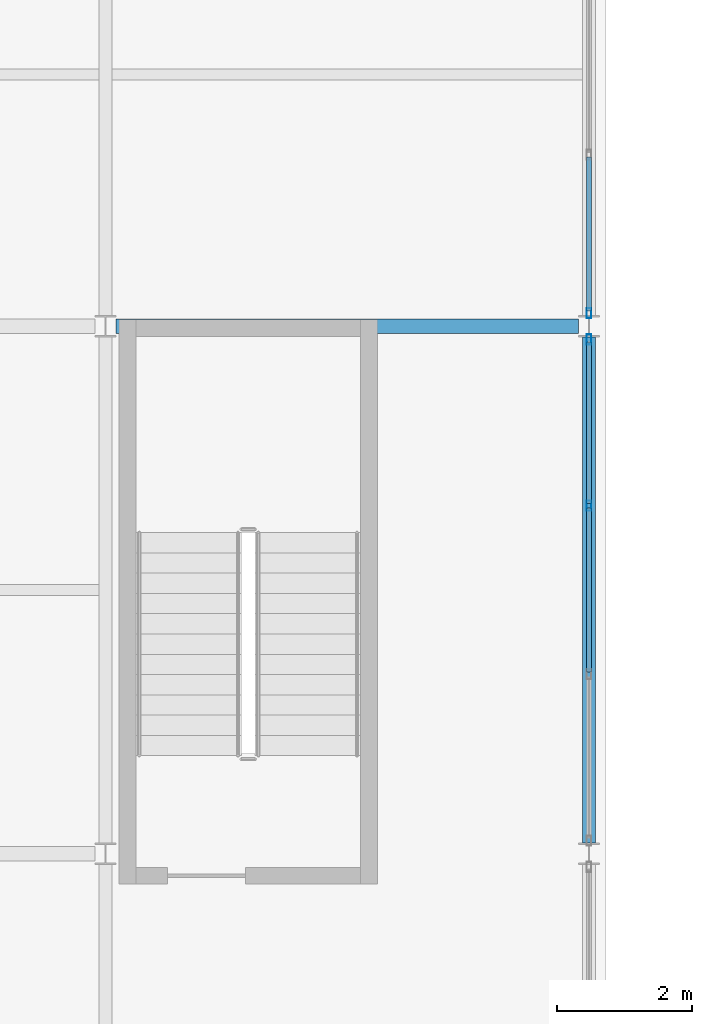
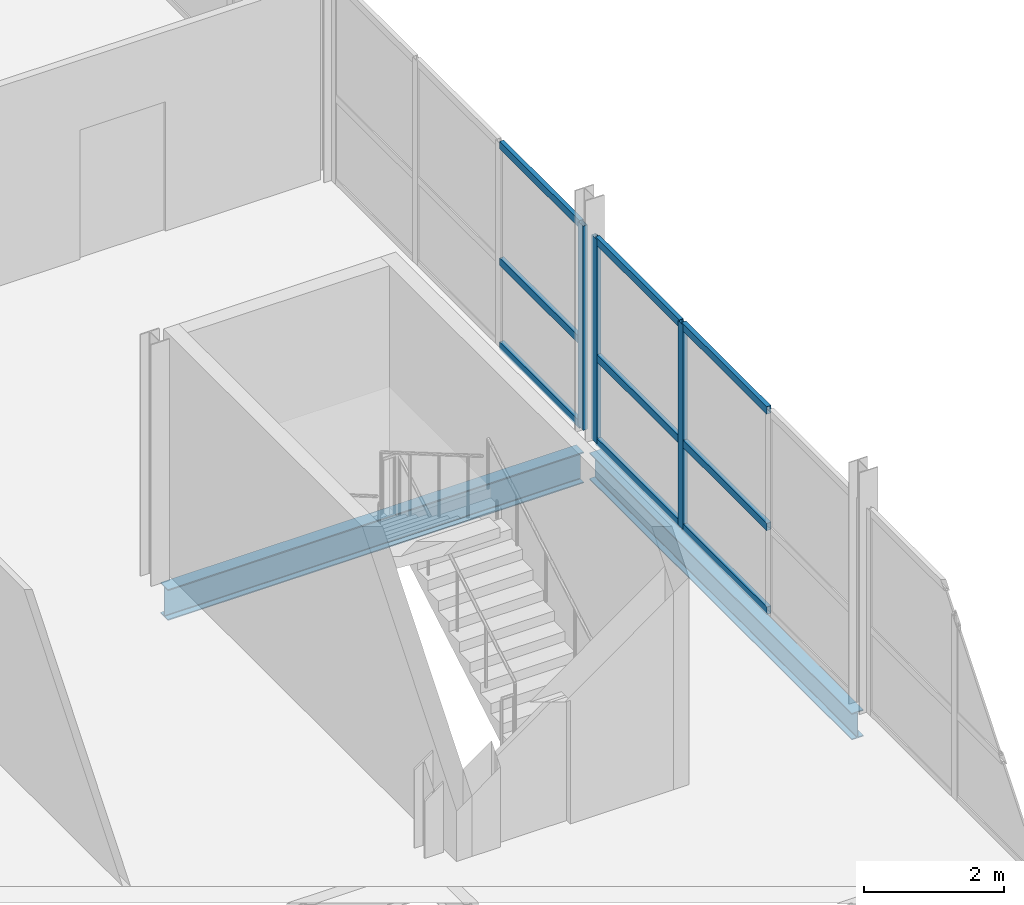
# One storey, part 13 of 60: 12 members, 2 beams, 2 elements without a shape of their own.
"""IFC4 building model written with IfcOpenShell, lengths in metres."""

import ifcopenshell
import ifcopenshell.guid

model = None  # the IFC model being written
_history = None  # IfcOwnerHistory: only IFC2X3 demands one
_inside = {}  # id of a spatial element -> (the spatial element, [elements in it])
_under = {}  # id of a project, library or spatial element -> (it, [spatial elements below it])
_declared = {}  # id of a project -> (the project, [libraries it declares])
_typed = {}  # id of a type object -> (the type object, [elements of that type])
_made_of = {}  # id of a material, layer set ... -> (it, [elements and type objects made of it])


def new_model(schema):
    """Start an empty IFC model of exactly this schema.

    Asked for "IFC4X3", IfcOpenShell would pick the latest addendum, in which some entities
    have other attributes; the version numbers below select the first issue.
    IFC2X3 requires an IfcOwnerHistory on every rooted entity: one is made here for all.
    """
    global model, _history
    if schema == "IFC4X3":
        model = ifcopenshell.file(schema_version=(4, 3, 0, 0))
    else:
        model = ifcopenshell.file(schema=schema)
    _inside.clear()
    _under.clear()
    _declared.clear()
    _typed.clear()
    _made_of.clear()
    _history = None
    if model.schema == "IFC2X3":
        org = make("IfcOrganization", Name="unknown")
        user = make(
            "IfcPersonAndOrganization",
            ThePerson=make("IfcPerson", FamilyName="unknown"),
            TheOrganization=org,
        )
        app = make(
            "IfcApplication",
            ApplicationDeveloper=org,
            Version="unknown",
            ApplicationFullName="unknown",
            ApplicationIdentifier="unknown",
        )
        _history = make(
            "IfcOwnerHistory",
            OwningUser=user,
            OwningApplication=app,
            ChangeAction="ADDED",
            CreationDate=0,
        )
    return model


def make(cls, **values):
    """One entity of the class cls with the attributes given. An attribute that is None is left unset."""
    return model.create_entity(
        cls, **{name: value for name, value in values.items() if value is not None}
    )


def rooted(cls, **values):
    """An entity with a GlobalId (a new one), such as an element, a storey or a relation."""
    return make(cls, GlobalId=ifcopenshell.guid.new(), OwnerHistory=_history, **values)


def si_unit(unit_type, name, prefix=None):
    """IfcSIUnit, for example si_unit("LENGTHUNIT", "METRE", prefix="MILLI")."""
    return make("IfcSIUnit", UnitType=unit_type, Prefix=prefix, Name=name)


def assignment(units):
    """IfcUnitAssignment: the units of a project."""
    return None if units is None else make("IfcUnitAssignment", Units=units)


def point(xyz):
    """IfcCartesianPoint."""
    return None if xyz is None else make("IfcCartesianPoint", Coordinates=xyz)


def direction(xyz):
    """IfcDirection."""
    return None if xyz is None else make("IfcDirection", DirectionRatios=xyz)


def frame(location, z_axis=None, x_axis=None):
    """IfcAxis2Placement3D, a coordinate frame: its origin and axes. An axis left out is left unset."""
    return make(
        "IfcAxis2Placement3D",
        Location=point(location),
        Axis=direction(z_axis),
        RefDirection=direction(x_axis),
    )


def frame_2d(location, x_axis=None):
    """IfcAxis2Placement2D, a coordinate frame in the plane: its origin and x axis."""
    return make(
        "IfcAxis2Placement2D", Location=point(location), RefDirection=direction(x_axis)
    )


def origin():
    """The frame at (0, 0, 0) with its axes left unset."""
    return frame((0.0, 0.0, 0.0))


def origin_2d():
    """The frame at (0, 0) in the plane with its x axis left unset."""
    return frame_2d((0.0, 0.0))


def place(relative_to, where):
    """IfcLocalPlacement: puts the frame where relative to a parent placement (None: the world)."""
    return make(
        "IfcLocalPlacement", PlacementRelTo=relative_to, RelativePlacement=where
    )


def context(
    kind, dimensions, precision=None, world=None, true_north=None, identifier=None
):
    """IfcGeometricRepresentationContext, for example the 3D "Model" context."""
    return make(
        "IfcGeometricRepresentationContext",
        ContextIdentifier=identifier,
        ContextType=kind,
        CoordinateSpaceDimension=dimensions,
        Precision=precision,
        WorldCoordinateSystem=world,
        TrueNorth=true_north,
    )


def subcontext(parent, identifier, kind, view, scale=None):
    """IfcGeometricRepresentationSubContext, for example "Body" below "Model"."""
    return make(
        "IfcGeometricRepresentationSubContext",
        ContextIdentifier=identifier,
        ContextType=kind,
        ParentContext=parent,
        TargetScale=scale,
        TargetView=view,
    )


def project(units=None, contexts=None):
    """IfcProject with its units and contexts."""
    return rooted(
        "IfcProject",
        Name="project",
        RepresentationContexts=contexts,
        UnitsInContext=assignment(units),
    )


def spatial(cls, under=None, at=None, **own):
    """A site, building, storey or space (cls), placed at a placement, below another one or the project."""
    s = rooted(cls, ObjectPlacement=at, **own)
    if under is not None:
        _under.setdefault(under.id(), (under, []))[1].append(s)
    return s


def profile(cls, at=None, kind="AREA", **sizes):
    """A parametric profile (cls). Its sizes go by their IFC names, for example OverallWidth=200.0."""
    return make(cls, ProfileType=kind, Position=at, **sizes)


def hollow_rectangle(**sizes):
    """IfcRectangleHollowProfileDef."""
    return profile("IfcRectangleHollowProfileDef", **sizes)


def i_section(**sizes):
    """IfcIShapeProfileDef."""
    return profile("IfcIShapeProfileDef", **sizes)


def extrude(swept, where, along, depth):
    """IfcExtrudedAreaSolid: the profile swept, set in the frame where, extruded along a direction by depth."""
    return make(
        "IfcExtrudedAreaSolid",
        SweptArea=swept,
        Position=where,
        ExtrudedDirection=direction(along),
        Depth=depth,
    )


def shape(context_of_items, identifier, shape_type, items):
    """IfcShapeRepresentation: the items that make up one representation, for example the "Body"."""
    return make(
        "IfcShapeRepresentation",
        ContextOfItems=context_of_items,
        RepresentationIdentifier=identifier,
        RepresentationType=shape_type,
        Items=items,
    )


def material(Name=None, Category=None):
    """IfcMaterial."""
    return make("IfcMaterial", Name=Name, Category=Category)


def layer(
    of_material, thickness, ventilated=None, Name=None, Category=None, Priority=None
):
    """IfcMaterialLayer: one layer of a wall or slab, of a material (None: an air gap)."""
    return make(
        "IfcMaterialLayer",
        Material=of_material,
        LayerThickness=thickness,
        IsVentilated=ventilated,
        Name=Name,
        Category=Category,
        Priority=Priority,
    )


def layer_set(layers, Name=None):
    """IfcMaterialLayerSet."""
    return make("IfcMaterialLayerSet", MaterialLayers=layers, LayerSetName=Name)


def material_profile(
    of_material, cross_section, Name=None, Category=None, Priority=None
):
    """IfcMaterialProfile: a cross section and its material."""
    return make(
        "IfcMaterialProfile",
        Name=Name,
        Material=of_material,
        Profile=cross_section,
        Priority=Priority,
        Category=Category,
    )


def profile_set(profiles, Name=None, composite=None):
    """IfcMaterialProfileSet."""
    return make(
        "IfcMaterialProfileSet",
        Name=Name,
        MaterialProfiles=profiles,
        CompositeProfile=composite,
    )


def made_of(thing, what):
    """Note that an element or type object is made of a material, layer set ...; save() writes the relation."""
    if what is not None:
        _made_of.setdefault(what.id(), (what, []))[1].append(thing)
    return thing


def type_object(cls, material=None, **own):
    """A type object (cls), such as IfcWallType, which elements share."""
    return made_of(rooted(cls, **own), material)


def element(
    cls,
    number,
    at=None,
    inside=None,
    cuts=None,
    type_object=None,
    material=None,
    context=None,
    identifier="Body",
    shape_type=None,
    held_by="IfcProductDefinitionShape",
    body=None,
    shapes=None,
    **own,
):
    """One element of the class cls, such as IfcWall. Its Tag is "e" and its number.

    at: its placement. inside: the storey or other place that contains it. cuts: it is an
    opening in that element (IfcRelVoidsElement). A single representation is given by context,
    identifier, shape_type and body (its items); several are given by shapes. held_by: the class
    of the entity that holds the representations. save() writes the other relations.
    """
    e = rooted(cls, Tag="e%d" % number, ObjectPlacement=at, **own)
    if body is not None:
        shapes = [shape(context, identifier, shape_type, body)]
    if shapes is not None:
        e.Representation = make(held_by, Representations=shapes)
    if inside is not None:
        _inside.setdefault(inside.id(), (inside, []))[1].append(e)
    if cuts is not None:
        rooted(
            "IfcRelVoidsElement", RelatingBuildingElement=cuts, RelatedOpeningElement=e
        )
    if type_object is not None:
        _typed.setdefault(type_object.id(), (type_object, []))[1].append(e)
    return made_of(e, material)


def aggregate(whole, parts):
    """IfcRelAggregates: a whole, such as a stair, and the parts it consists of."""
    return rooted("IfcRelAggregates", RelatingObject=whole, RelatedObjects=parts)


def save(model, path):
    """Write the relations noted so far, then the file.

    IfcRelAggregates (storeys below a building ...), IfcRelContainedInSpatialStructure (elements
    in a storey), IfcRelDefinesByType, IfcRelAssociatesMaterial and IfcRelDeclares: one each for
    every whole, place, type object, material and project.
    """
    for whole, parts in _under.values():
        aggregate(whole, parts)
    for where, things in _inside.values():
        rooted(
            "IfcRelContainedInSpatialStructure",
            RelatedElements=things,
            RelatingStructure=where,
        )
    for kind, things in _typed.values():
        rooted("IfcRelDefinesByType", RelatedObjects=things, RelatingType=kind)
    for what, things in _made_of.values():
        rooted("IfcRelAssociatesMaterial", RelatedObjects=things, RelatingMaterial=what)
    for by, libraries in _declared.values():
        rooted("IfcRelDeclares", RelatingContext=by, RelatedDefinitions=libraries)
    model.write(path)


model = new_model("IFC4")

# Units and contexts
model_context = context("Model", 3, precision=1e-05, world=origin(), true_north=direction((0.0, 1.0)))
body_context = subcontext(model_context, "Body", "Model", "MODEL_VIEW")
ifc_project = project(units=[si_unit("LENGTHUNIT", "METRE"), si_unit("AREAUNIT", "SQUARE_METRE"), si_unit("VOLUMEUNIT", "CUBIC_METRE"), si_unit("PLANEANGLEUNIT", "RADIAN"), si_unit("MASSUNIT", "GRAM", prefix="KILO")], contexts=[model_context])

# Site, building, storey
site_placement = place(None, origin())
site = spatial("IfcSite", under=ifc_project, at=site_placement, CompositionType="ELEMENT")
building_placement = place(site_placement, origin())
building = spatial("IfcBuilding", under=site, at=building_placement, Name="Quillay Park Conservatory", CompositionType="ELEMENT")
storey_placement = place(building_placement, frame((0.0, 0.0, 9.89990234375)))
storey = spatial("IfcBuildingStorey", under=building, at=storey_placement, Name="L02", CompositionType="ELEMENT", Elevation=9.89990234375)

# Curtain wall, members
ifc_material_1 = material(Name="Thermally Broken Anodised Aluminium 6063-T6", Category="aluminium")
ifc_layer = layer(ifc_material_1, 0.1650390625)
ifc_layer_set = layer_set([ifc_layer], Name="UNITISED CURTAIN WALL PODIUM (Thermally Broken Anodised Aluminium 6063-T6)")
curtain_wall_type = type_object("IfcCurtainWallType", Name="UNITISED CURTAIN WALL PODIUM", PredefinedType="USERDEFINED", material=ifc_layer_set)
curtain_wall_1_placement = place(storey_placement, origin())
curtain_wall_1 = element("IfcCurtainWall", 1, at=curtain_wall_1_placement, inside=storey, type_object=curtain_wall_type, Name="L02 Unitised Curtain Wall 208", ObjectType="UNITISED CURTAIN WALL", PredefinedType="USERDEFINED")
ifc_material_2 = material(Name="Thermally Broken Anodised Aluminium 6063-T6", Category="aluminium")
ifc_material_profile_1 = material_profile(ifc_material_2, hollow_rectangle(XDim=0.070068359375, YDim=0.14990234375, WallThickness=0.00341796875, at=origin_2d()), Name="AL70x150x3.5")
ifc_profile_set_1 = profile_set([ifc_material_profile_1], Name="Thermally Broken Anodised Aluminium 6063-T6")
member_type_1 = type_object("IfcMemberType", Name="CURTAIN WALL MULLION 70 X150", PredefinedType="MULLION", material=ifc_profile_set_1)
member_1_placement = place(storey_placement, frame((22.14990234375, 46.60498046875, 0.0), z_axis=(0.0, 0.0, 1.0), x_axis=(1.0, 0.0, 0.0)))
member_1 = element("IfcMember", 2, at=member_1_placement, type_object=member_type_1, Name="CW-P1 mullion 1", PredefinedType="MULLION", context=body_context, shape_type="SweptSolid", body=[
    extrude(hollow_rectangle(XDim=0.070068359375, YDim=0.14990234375, WallThickness=0.00341796875, at=origin_2d()), origin(), (0.0, 0.0, 1.0), 3.55419921875),
])
member_2_placement = place(storey_placement, frame((22.14990234375, 44.146728515625, 0.0), z_axis=(0.0, 0.0, 1.0), x_axis=(1.0, 0.0, 0.0)))
member_2 = element("IfcMember", 3, at=member_2_placement, type_object=member_type_1, Name="CW-P1 mullion 2", PredefinedType="MULLION", context=body_context, shape_type="SweptSolid", body=[
    extrude(hollow_rectangle(XDim=0.070068359375, YDim=0.14990234375, WallThickness=0.00341796875, at=origin_2d()), origin(), (0.0, 0.0, 1.0), 3.55419921875),
])

# Curtain wall, member
curtain_wall_2_placement = place(storey_placement, origin())
curtain_wall_2 = element("IfcCurtainWall", 4, at=curtain_wall_2_placement, inside=storey, type_object=curtain_wall_type, Name="L02 Unitised Curtain Wall 209", ObjectType="UNITISED CURTAIN WALL", PredefinedType="USERDEFINED")
member_3_placement = place(storey_placement, frame((22.14990234375, 46.9951171875, 0.0), z_axis=(0.0, 0.0, 1.0), x_axis=(1.0, 0.0, 0.0)))
member_3 = element("IfcMember", 5, at=member_3_placement, type_object=member_type_1, Name="CW-P1 mullion 4", PredefinedType="MULLION", context=body_context, shape_type="SweptSolid", body=[
    extrude(hollow_rectangle(XDim=0.070068359375, YDim=0.14990234375, WallThickness=0.00341796875, at=origin_2d()), origin(), (0.0, 0.0, 1.0), 3.55419921875),
])

# Member
ifc_material_3 = material(Name="Thermally Broken Anodised Aluminium 6063-T6", Category="aluminium")
ifc_material_profile_2 = material_profile(ifc_material_3, hollow_rectangle(XDim=0.070068359375, YDim=0.1298828125, WallThickness=0.003173828125, at=origin_2d()), Name="AL70x130x3.2")
ifc_profile_set_2 = profile_set([ifc_material_profile_2], Name="Thermally Broken Anodised Aluminium 6063-T6")
member_type_2 = type_object("IfcMemberType", Name="CURTAIN WALL TRANSOM 70 X130", PredefinedType="USERDEFINED", material=ifc_profile_set_2)
member_4_placement = place(storey_placement, frame((22.14990234375, 46.570068359375, 0.03515625), z_axis=(0.0, -1.0, 0.0), x_axis=(1.0, 0.0, 0.0)))
member_4 = element("IfcMember", 6, at=member_4_placement, type_object=member_type_2, Name="CW-P1 transom 1.1", ObjectType="TRANSOM", PredefinedType="USERDEFINED", context=body_context, shape_type="SweptSolid", body=[
    extrude(hollow_rectangle(XDim=0.070068359375, YDim=0.1298828125, WallThickness=0.003173828125, at=origin_2d()), origin(), (0.0, 0.0, 1.0), 2.388427734375),
])

member_5_placement = place(storey_placement, frame((22.14990234375, 46.570068359375, 1.49267578125), z_axis=(0.0, -1.0, 0.0), x_axis=(1.0, 0.0, 0.0)))
member_5 = element("IfcMember", 7, at=member_5_placement, type_object=member_type_2, Name="CW-P1 transom 1.2", ObjectType="TRANSOM", PredefinedType="USERDEFINED", context=body_context, shape_type="SweptSolid", body=[
    extrude(hollow_rectangle(XDim=0.070068359375, YDim=0.1298828125, WallThickness=0.003173828125, at=origin_2d()), origin(), (0.0, 0.0, 1.0), 2.388427734375),
])

member_6_placement = place(storey_placement, frame((22.14990234375, 46.570068359375, 3.51904296875), z_axis=(0.0, -1.0, 0.0), x_axis=(1.0, 0.0, 0.0)))
member_6 = element("IfcMember", 8, at=member_6_placement, type_object=member_type_2, Name="CW-P1 transom 1.3", ObjectType="TRANSOM", PredefinedType="USERDEFINED", context=body_context, shape_type="SweptSolid", body=[
    extrude(hollow_rectangle(XDim=0.070068359375, YDim=0.1298828125, WallThickness=0.003173828125, at=origin_2d()), origin(), (0.0, 0.0, 1.0), 2.388427734375),
])

member_7_placement = place(storey_placement, frame((22.14990234375, 44.111572265625, 0.03515625), z_axis=(0.0, -1.0, 0.0), x_axis=(1.0, 0.0, 0.0)))
member_7 = element("IfcMember", 9, at=member_7_placement, type_object=member_type_2, Name="CW-P1 transom 2.1", ObjectType="TRANSOM", PredefinedType="USERDEFINED", context=body_context, shape_type="SweptSolid", body=[
    extrude(hollow_rectangle(XDim=0.070068359375, YDim=0.1298828125, WallThickness=0.003173828125, at=origin_2d()), origin(), (0.0, 0.0, 1.0), 2.42333984375),
])

member_8_placement = place(storey_placement, frame((22.14990234375, 44.111572265625, 1.49267578125), z_axis=(0.0, -1.0, 0.0), x_axis=(1.0, 0.0, 0.0)))
member_8 = element("IfcMember", 10, at=member_8_placement, type_object=member_type_2, Name="CW-P1 transom 2.2", ObjectType="TRANSOM", PredefinedType="USERDEFINED", context=body_context, shape_type="SweptSolid", body=[
    extrude(hollow_rectangle(XDim=0.070068359375, YDim=0.1298828125, WallThickness=0.003173828125, at=origin_2d()), origin(), (0.0, 0.0, 1.0), 2.42333984375),
])

member_9_placement = place(storey_placement, frame((22.14990234375, 44.111572265625, 3.51904296875), z_axis=(0.0, -1.0, 0.0), x_axis=(1.0, 0.0, 0.0)))
member_9 = element("IfcMember", 11, at=member_9_placement, type_object=member_type_2, Name="CW-P1 transom 2.3", ObjectType="TRANSOM", PredefinedType="USERDEFINED", context=body_context, shape_type="SweptSolid", body=[
    extrude(hollow_rectangle(XDim=0.070068359375, YDim=0.1298828125, WallThickness=0.003173828125, at=origin_2d()), origin(), (0.0, 0.0, 1.0), 2.42333984375),
])

aggregate(curtain_wall_1, [member_1, member_2, member_4, member_5, member_6, member_7, member_8, member_9])

member_10_placement = place(storey_placement, frame((22.14990234375, 49.3017578125, 0.03515625), z_axis=(0.0, -1.0, 0.0), x_axis=(1.0, 0.0, 0.0)))
member_10 = element("IfcMember", 12, at=member_10_placement, type_object=member_type_2, Name="CW-P1 transom 3.1", ObjectType="TRANSOM", PredefinedType="USERDEFINED", context=body_context, shape_type="SweptSolid", body=[
    extrude(hollow_rectangle(XDim=0.070068359375, YDim=0.1298828125, WallThickness=0.003173828125, at=origin_2d()), origin(), (0.0, 0.0, 1.0), 2.271728515625),
])

member_11_placement = place(storey_placement, frame((22.14990234375, 49.3017578125, 1.49267578125), z_axis=(0.0, -1.0, 0.0), x_axis=(1.0, 0.0, 0.0)))
member_11 = element("IfcMember", 13, at=member_11_placement, type_object=member_type_2, Name="CW-P1 transom 3.2", ObjectType="TRANSOM", PredefinedType="USERDEFINED", context=body_context, shape_type="SweptSolid", body=[
    extrude(hollow_rectangle(XDim=0.070068359375, YDim=0.1298828125, WallThickness=0.003173828125, at=origin_2d()), origin(), (0.0, 0.0, 1.0), 2.271728515625),
])

member_12_placement = place(storey_placement, frame((22.14990234375, 49.3017578125, 3.51904296875), z_axis=(0.0, -1.0, 0.0), x_axis=(1.0, 0.0, 0.0)))
member_12 = element("IfcMember", 14, at=member_12_placement, type_object=member_type_2, Name="CW-P1 transom 3.3", ObjectType="TRANSOM", PredefinedType="USERDEFINED", context=body_context, shape_type="SweptSolid", body=[
    extrude(hollow_rectangle(XDim=0.070068359375, YDim=0.1298828125, WallThickness=0.003173828125, at=origin_2d()), origin(), (0.0, 0.0, 1.0), 2.271728515625),
])

aggregate(curtain_wall_2, [member_3, member_10, member_11, member_12])

# Beams
ifc_material_4 = material(Name="Steel ASTM A992 Grade 50", Category="steel")
ifc_material_profile_3 = material_profile(ifc_material_4, i_section(OverallWidth=0.19189453125, OverallDepth=0.462890625, WebThickness=0.010498046875, FlangeThickness=0.017578125, FilletRadius=0.012939453125, at=origin_2d()), Name="W460x89")
ifc_profile_set_3 = profile_set([ifc_material_profile_3], Name="Steel ASTM A992 Grade 50")
beam_type_1 = type_object("IfcBeamType", Name="PRIMARY FLOOR GIRDER W460 X89", PredefinedType="BEAM", material=ifc_profile_set_3)
beam_1_placement = place(storey_placement, frame((22.14990234375, 39.16162109375, -0.426513671875), z_axis=(0.0, 1.0, 0.0), x_axis=(-1.0, 0.0, 0.0)))
element("IfcBeam", 15, at=beam_1_placement, inside=storey, type_object=beam_type_1, Name="L02 beam BM-V3Y-1376", PredefinedType="BEAM", context=body_context, shape_type="SweptSolid", body=[
    extrude(i_section(OverallWidth=0.19189453125, OverallDepth=0.462890625, WebThickness=0.010498046875, FlangeThickness=0.017578125, FilletRadius=0.012939453125, at=origin_2d()), origin(), (0.0, 0.0, 1.0), 7.476806640625),
])
ifc_material_5 = material(Name="Steel ASTM A992 Grade 50", Category="steel")
ifc_material_profile_4 = material_profile(ifc_material_5, i_section(OverallWidth=0.2109375, OverallDepth=0.5390625, WebThickness=0.01171875, FlangeThickness=0.018798828125, FilletRadius=0.013916015625, at=origin_2d()), Name="W530x109")
ifc_profile_set_4 = profile_set([ifc_material_profile_4], Name="Steel ASTM A992 Grade 50")
beam_type_2 = type_object("IfcBeamType", Name="PRIMARY FLOOR GIRDER W530 X109", PredefinedType="BEAM", material=ifc_profile_set_4)
beam_2_placement = place(storey_placement, frame((15.154541015625, 46.800048828125, -0.46435546875), z_axis=(1.0, 0.0, 0.0), x_axis=(0.0, 1.0, 0.0)))
element("IfcBeam", 16, at=beam_2_placement, inside=storey, type_object=beam_type_2, Name="L02 beam BM-V3X-1346", PredefinedType="BEAM", context=body_context, shape_type="SweptSolid", body=[
    extrude(i_section(OverallWidth=0.2109375, OverallDepth=0.5390625, WebThickness=0.01171875, FlangeThickness=0.018798828125, FilletRadius=0.013916015625, at=origin_2d()), origin(), (0.0, 0.0, 1.0), 6.841064453125),
])

save(model, "model.ifc")
